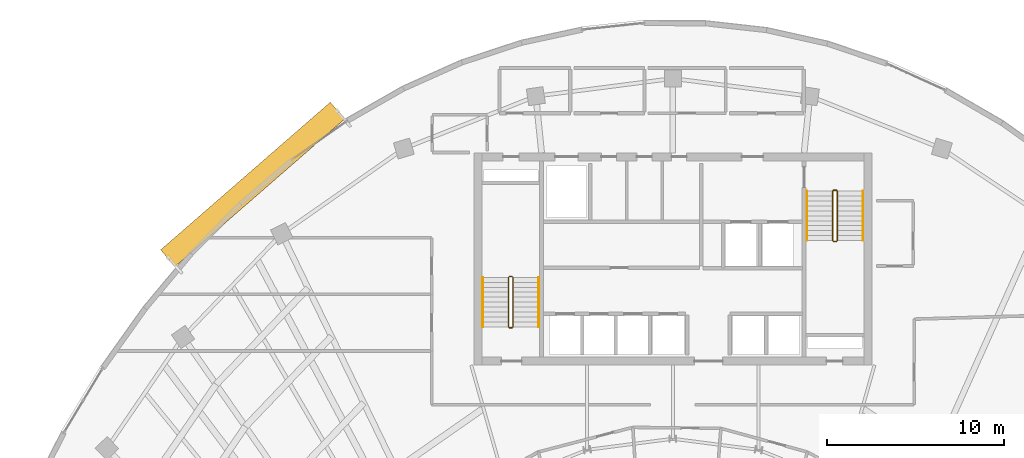
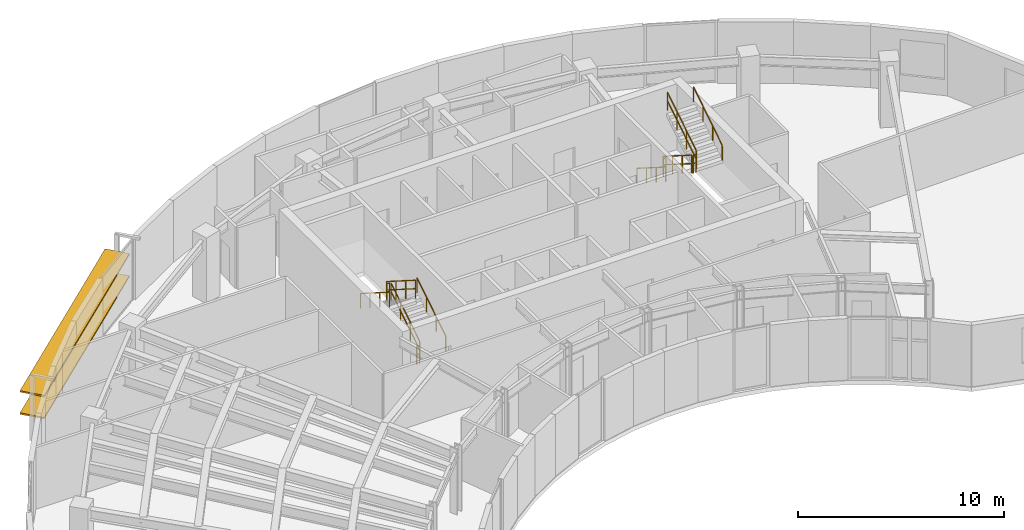
# One storey, part 12 of 12: 12 railings, 2 shading devices.
"""IFC4 building model written with IfcOpenShell, lengths in metres."""

from ifc_helpers import new_model, si_unit, direction, frame, origin, origin_2d, place, context, subcontext, project, spatial, rectangle, extrude, source, transform, mapped, material, material_profile, profile_set, type_object, element, save


model = new_model("IFC4")

# Units and contexts
model_context = context("Model", 3, precision=1e-05, world=origin(), true_north=direction((0.0, 1.0)))
body_context = subcontext(model_context, "Body", "Model", "MODEL_VIEW")
ifc_project = project(units=[si_unit("LENGTHUNIT", "METRE"), si_unit("AREAUNIT", "SQUARE_METRE"), si_unit("VOLUMEUNIT", "CUBIC_METRE"), si_unit("PLANEANGLEUNIT", "RADIAN"), si_unit("MASSUNIT", "GRAM", prefix="KILO")], contexts=[model_context])

# Site, building, storey
site_placement = place(None, origin())
site = spatial("IfcSite", under=ifc_project, at=site_placement, CompositionType="ELEMENT")
building_placement = place(site_placement, origin())
building = spatial("IfcBuilding", under=site, at=building_placement, Name="Breltana Convention Tower", CompositionType="ELEMENT")
storey_placement = place(building_placement, frame((0.0, 0.0, 239.10009765625)))
storey = spatial("IfcBuildingStorey", under=building, at=storey_placement, Name="L58", CompositionType="ELEMENT", Elevation=239.10009765625)

# Railings
ifc_material_1 = material(Name="Steel S275 Painted", Category="steel")
railing_type_1 = type_object("IfcRailingType", Name="RL-STAIR-GUARD-1100", PredefinedType="GUARDRAIL", material=ifc_material_1)
railing_1_placement = place(storey_placement, frame((38.9599609375, 62.360107421875, 0.17724609375)))
element("IfcRailing", 1, at=railing_1_placement, inside=storey, type_object=railing_type_1, Name="L58 ST-1 stair guard 1", PredefinedType="GUARDRAIL", context=body_context, shape_type="SweptSolid", body=[
    extrude(rectangle(XDim=0.048095703125, YDim=0.048095703125, at=origin_2d()), frame((0.0, 0.0, 1.076171875), z_axis=(0.0, 0.844887892834, 0.53494340686), x_axis=(-1.0, 0.0, 0.0)), (0.0, 0.0, 1.0), 3.313720703125),
    extrude(rectangle(XDim=0.048095703125, YDim=0.048095703125, at=origin_2d()), frame((0.0, 0.0, 0.572021484375), z_axis=(0.0, 0.844887892834, 0.53494340686), x_axis=(-1.0, 0.0, 0.0)), (0.0, 0.0, 1.0), 3.313720703125),
    extrude(rectangle(XDim=0.0419921875, YDim=0.0419921875, at=origin_2d()), origin(), (0.0, 0.0, 1.0), 1.052001953125),
    extrude(rectangle(XDim=0.0419921875, YDim=0.0419921875, at=origin_2d()), frame((0.0, 0.933349609375, 0.5908203125)), (0.0, 0.0, 1.0), 1.052001953125),
    extrude(rectangle(XDim=0.0419921875, YDim=0.0419921875, at=origin_2d()), frame((0.0, 1.866455078125, 1.181884765625)), (0.0, 0.0, 1.0), 1.052001953125),
    extrude(rectangle(XDim=0.0419921875, YDim=0.0419921875, at=origin_2d()), frame((0.0, 2.7998046875, 1.772705078125)), (0.0, 0.0, 1.0), 1.052001953125),
])
railing_2_placement = place(storey_placement, frame((38.909912109375, 65.2099609375, 1.949951171875)))
element("IfcRailing", 2, at=railing_2_placement, inside=storey, type_object=railing_type_1, Name="L58 ST-1 stair guard 2", PredefinedType="GUARDRAIL", context=body_context, shape_type="SweptSolid", body=[
    extrude(rectangle(XDim=0.048095703125, YDim=0.048095703125, at=origin_2d()), frame((0.0, 0.0, 1.076171875), z_axis=(-1.0, 0.0, 0.0), x_axis=(0.0, -1.0, 0.0)), (0.0, 0.0, 1.0), 0.14990234375),
    extrude(rectangle(XDim=0.048095703125, YDim=0.048095703125, at=origin_2d()), frame((0.0, 0.0, 0.572021484375), z_axis=(-1.0, 0.0, 0.0), x_axis=(0.0, -1.0, 0.0)), (0.0, 0.0, 1.0), 0.14990234375),
    extrude(rectangle(XDim=0.0419921875, YDim=0.0419921875, at=origin_2d()), origin(), (0.0, 0.0, 1.0), 1.052001953125),
    extrude(rectangle(XDim=0.0419921875, YDim=0.0419921875, at=origin_2d()), frame((-0.14990234375, 0.0, 0.0)), (0.0, 0.0, 1.0), 1.052001953125),
])
railing_3_placement = place(storey_placement, frame((38.7099609375, 65.159912109375, 2.127197265625)))
element("IfcRailing", 3, at=railing_3_placement, inside=storey, type_object=railing_type_1, Name="L58 ST-1 stair guard 3", PredefinedType="GUARDRAIL", context=body_context, shape_type="SweptSolid", body=[
    extrude(rectangle(XDim=0.048095703125, YDim=0.048095703125, at=origin_2d()), frame((0.0, 0.0, 1.076171875), z_axis=(0.0, -0.844887892834, 0.53494340686), x_axis=(1.0, 0.0, 0.0)), (0.0, 0.0, 1.0), 3.313720703125),
    extrude(rectangle(XDim=0.048095703125, YDim=0.048095703125, at=origin_2d()), frame((0.0, 0.0, 0.572021484375), z_axis=(0.0, -0.844887892834, 0.53494340686), x_axis=(1.0, 0.0, 0.0)), (0.0, 0.0, 1.0), 3.313720703125),
    extrude(rectangle(XDim=0.0419921875, YDim=0.0419921875, at=origin_2d()), origin(), (0.0, 0.0, 1.0), 1.052001953125),
    extrude(rectangle(XDim=0.0419921875, YDim=0.0419921875, at=origin_2d()), frame((0.0, -0.933349609375, 0.5908203125)), (0.0, 0.0, 1.0), 1.052001953125),
    extrude(rectangle(XDim=0.0419921875, YDim=0.0419921875, at=origin_2d()), frame((0.0, -1.866455078125, 1.181884765625)), (0.0, 0.0, 1.0), 1.052001953125),
    extrude(rectangle(XDim=0.0419921875, YDim=0.0419921875, at=origin_2d()), frame((0.0, -2.7998046875, 1.772705078125)), (0.0, 0.0, 1.0), 1.052001953125),
])
railing_4_placement = place(storey_placement, frame((38.909912109375, 62.31005859375, 0.0)))
element("IfcRailing", 4, at=railing_4_placement, inside=storey, type_object=railing_type_1, Name="L58 ST-1 stair guard 4", PredefinedType="GUARDRAIL", context=body_context, shape_type="SweptSolid", body=[
    extrude(rectangle(XDim=0.048095703125, YDim=0.048095703125, at=origin_2d()), frame((0.0, 0.0, 1.076171875), z_axis=(-1.0, 0.0, 0.0), x_axis=(0.0, -1.0, 0.0)), (0.0, 0.0, 1.0), 0.14990234375),
    extrude(rectangle(XDim=0.048095703125, YDim=0.048095703125, at=origin_2d()), frame((0.0, 0.0, 0.572021484375), z_axis=(-1.0, 0.0, 0.0), x_axis=(0.0, -1.0, 0.0)), (0.0, 0.0, 1.0), 0.14990234375),
    extrude(rectangle(XDim=0.0419921875, YDim=0.0419921875, at=origin_2d()), origin(), (0.0, 0.0, 1.0), 1.052001953125),
    extrude(rectangle(XDim=0.0419921875, YDim=0.0419921875, at=origin_2d()), frame((-0.14990234375, 0.0, 0.0)), (0.0, 0.0, 1.0), 1.052001953125),
])
railing_5_placement = place(storey_placement, frame((57.0400390625, 70.0400390625, 0.17724609375)))
element("IfcRailing", 5, at=railing_5_placement, inside=storey, type_object=railing_type_1, Name="L58 ST-2 stair guard 1", PredefinedType="GUARDRAIL", context=body_context, shape_type="SweptSolid", body=[
    extrude(rectangle(XDim=0.048095703125, YDim=0.048095703125, at=origin_2d()), frame((0.0, 0.0, 1.076171875), z_axis=(0.0, -0.844908973607, 0.534910110503), x_axis=(1.0, 0.0, 0.0)), (0.0, 0.0, 1.0), 3.31396484375),
    extrude(rectangle(XDim=0.048095703125, YDim=0.048095703125, at=origin_2d()), frame((0.0, 0.0, 0.572021484375), z_axis=(0.0, -0.844908973607, 0.534910110503), x_axis=(1.0, 0.0, 0.0)), (0.0, 0.0, 1.0), 3.31396484375),
    extrude(rectangle(XDim=0.0419921875, YDim=0.0419921875, at=origin_2d()), origin(), (0.0, 0.0, 1.0), 1.052001953125),
    extrude(rectangle(XDim=0.0419921875, YDim=0.0419921875, at=origin_2d()), frame((0.0, -0.933349609375, 0.5908203125)), (0.0, 0.0, 1.0), 1.052001953125),
    extrude(rectangle(XDim=0.0419921875, YDim=0.0419921875, at=origin_2d()), frame((0.0, -1.86669921875, 1.181884765625)), (0.0, 0.0, 1.0), 1.052001953125),
    extrude(rectangle(XDim=0.0419921875, YDim=0.0419921875, at=origin_2d()), frame((0.0, -2.800048828125, 1.772705078125)), (0.0, 0.0, 1.0), 1.052001953125),
])
railing_6_placement = place(storey_placement, frame((57.090087890625, 67.18994140625, 1.949951171875)))
element("IfcRailing", 6, at=railing_6_placement, inside=storey, type_object=railing_type_1, Name="L58 ST-2 stair guard 2", PredefinedType="GUARDRAIL", context=body_context, shape_type="SweptSolid", body=[
    extrude(rectangle(XDim=0.048095703125, YDim=0.048095703125, at=origin_2d()), frame((0.0, 0.0, 1.076171875), z_axis=(1.0, 0.0, 0.0), x_axis=(0.0, 1.0, 0.0)), (0.0, 0.0, 1.0), 0.14990234375),
    extrude(rectangle(XDim=0.048095703125, YDim=0.048095703125, at=origin_2d()), frame((0.0, 0.0, 0.572021484375), z_axis=(1.0, 0.0, 0.0), x_axis=(0.0, 1.0, 0.0)), (0.0, 0.0, 1.0), 0.14990234375),
    extrude(rectangle(XDim=0.0419921875, YDim=0.0419921875, at=origin_2d()), origin(), (0.0, 0.0, 1.0), 1.052001953125),
    extrude(rectangle(XDim=0.0419921875, YDim=0.0419921875, at=origin_2d()), frame((0.14990234375, 0.0, 0.0)), (0.0, 0.0, 1.0), 1.052001953125),
])
railing_7_placement = place(storey_placement, frame((57.2900390625, 67.239990234375, 2.127197265625)))
element("IfcRailing", 7, at=railing_7_placement, inside=storey, type_object=railing_type_1, Name="L58 ST-2 stair guard 3", PredefinedType="GUARDRAIL", context=body_context, shape_type="SweptSolid", body=[
    extrude(rectangle(XDim=0.048095703125, YDim=0.048095703125, at=origin_2d()), frame((0.0, 0.0, 1.076171875), z_axis=(0.0, 0.844908973607, 0.534910110503), x_axis=(-1.0, 0.0, 0.0)), (0.0, 0.0, 1.0), 3.31396484375),
    extrude(rectangle(XDim=0.048095703125, YDim=0.048095703125, at=origin_2d()), frame((0.0, 0.0, 0.572021484375), z_axis=(0.0, 0.844908973607, 0.534910110503), x_axis=(-1.0, 0.0, 0.0)), (0.0, 0.0, 1.0), 3.31396484375),
    extrude(rectangle(XDim=0.0419921875, YDim=0.0419921875, at=origin_2d()), origin(), (0.0, 0.0, 1.0), 1.052001953125),
    extrude(rectangle(XDim=0.0419921875, YDim=0.0419921875, at=origin_2d()), frame((0.0, 0.933349609375, 0.5908203125)), (0.0, 0.0, 1.0), 1.052001953125),
    extrude(rectangle(XDim=0.0419921875, YDim=0.0419921875, at=origin_2d()), frame((0.0, 1.86669921875, 1.181884765625)), (0.0, 0.0, 1.0), 1.052001953125),
    extrude(rectangle(XDim=0.0419921875, YDim=0.0419921875, at=origin_2d()), frame((0.0, 2.800048828125, 1.772705078125)), (0.0, 0.0, 1.0), 1.052001953125),
])
railing_8_placement = place(storey_placement, frame((57.090087890625, 70.090087890625, 0.0)))
element("IfcRailing", 8, at=railing_8_placement, inside=storey, type_object=railing_type_1, Name="L58 ST-2 stair guard 4", PredefinedType="GUARDRAIL", context=body_context, shape_type="SweptSolid", body=[
    extrude(rectangle(XDim=0.048095703125, YDim=0.048095703125, at=origin_2d()), frame((0.0, 0.0, 1.076171875), z_axis=(1.0, 0.0, 0.0), x_axis=(0.0, 1.0, 0.0)), (0.0, 0.0, 1.0), 0.14990234375),
    extrude(rectangle(XDim=0.048095703125, YDim=0.048095703125, at=origin_2d()), frame((0.0, 0.0, 0.572021484375), z_axis=(1.0, 0.0, 0.0), x_axis=(0.0, 1.0, 0.0)), (0.0, 0.0, 1.0), 0.14990234375),
    extrude(rectangle(XDim=0.0419921875, YDim=0.0419921875, at=origin_2d()), origin(), (0.0, 0.0, 1.0), 1.052001953125),
    extrude(rectangle(XDim=0.0419921875, YDim=0.0419921875, at=origin_2d()), frame((0.14990234375, 0.0, 0.0)), (0.0, 0.0, 1.0), 1.052001953125),
])
ifc_material_2 = material(Name="Stainless Steel 316L", Category="steel")
railing_type_2 = type_object("IfcRailingType", Name="RL-STAIR-HANDRAIL-900", PredefinedType="HANDRAIL", material=ifc_material_2)
railing_9_placement = place(storey_placement, frame((40.419921875, 62.360107421875, 0.17724609375)))
element("IfcRailing", 9, at=railing_9_placement, inside=storey, type_object=railing_type_2, Name="L58 ST-1 stair handrail 1", PredefinedType="HANDRAIL", context=body_context, shape_type="SweptSolid", body=[
    extrude(rectangle(XDim=0.048095703125, YDim=0.048095703125, at=origin_2d()), frame((0.0, 0.0, 0.8759765625), z_axis=(0.0, 0.844887892834, 0.53494340686), x_axis=(-1.0, 0.0, 0.0)), (0.0, 0.0, 1.0), 3.313720703125),
    extrude(rectangle(XDim=0.0419921875, YDim=0.0419921875, at=origin_2d()), origin(), (0.0, 0.0, 1.0), 0.851806640625),
    extrude(rectangle(XDim=0.0419921875, YDim=0.0419921875, at=origin_2d()), frame((0.0, 0.933349609375, 0.5908203125)), (0.0, 0.0, 1.0), 0.851806640625),
    extrude(rectangle(XDim=0.0419921875, YDim=0.0419921875, at=origin_2d()), frame((0.0, 1.866455078125, 1.181884765625)), (0.0, 0.0, 1.0), 0.851806640625),
    extrude(rectangle(XDim=0.0419921875, YDim=0.0419921875, at=origin_2d()), frame((0.0, 2.7998046875, 1.772705078125)), (0.0, 0.0, 1.0), 0.851806640625),
])
railing_10_placement = place(storey_placement, frame((37.25, 65.159912109375, 2.127197265625)))
element("IfcRailing", 10, at=railing_10_placement, inside=storey, type_object=railing_type_2, Name="L58 ST-1 stair handrail 2", PredefinedType="HANDRAIL", context=body_context, shape_type="SweptSolid", body=[
    extrude(rectangle(XDim=0.048095703125, YDim=0.048095703125, at=origin_2d()), frame((0.0, 0.0, 0.8759765625), z_axis=(0.0, -0.844887892834, 0.53494340686), x_axis=(1.0, 0.0, 0.0)), (0.0, 0.0, 1.0), 3.313720703125),
    extrude(rectangle(XDim=0.0419921875, YDim=0.0419921875, at=origin_2d()), origin(), (0.0, 0.0, 1.0), 0.851806640625),
    extrude(rectangle(XDim=0.0419921875, YDim=0.0419921875, at=origin_2d()), frame((0.0, -0.933349609375, 0.5908203125)), (0.0, 0.0, 1.0), 0.851806640625),
    extrude(rectangle(XDim=0.0419921875, YDim=0.0419921875, at=origin_2d()), frame((0.0, -1.866455078125, 1.181884765625)), (0.0, 0.0, 1.0), 0.851806640625),
    extrude(rectangle(XDim=0.0419921875, YDim=0.0419921875, at=origin_2d()), frame((0.0, -2.7998046875, 1.772705078125)), (0.0, 0.0, 1.0), 0.851806640625),
])
railing_11_placement = place(storey_placement, frame((55.580078125, 70.0400390625, 0.17724609375)))
element("IfcRailing", 11, at=railing_11_placement, inside=storey, type_object=railing_type_2, Name="L58 ST-2 stair handrail 1", PredefinedType="HANDRAIL", context=body_context, shape_type="SweptSolid", body=[
    extrude(rectangle(XDim=0.048095703125, YDim=0.048095703125, at=origin_2d()), frame((0.0, 0.0, 0.8759765625), z_axis=(0.0, -0.844908973607, 0.534910110503), x_axis=(1.0, 0.0, 0.0)), (0.0, 0.0, 1.0), 3.31396484375),
    extrude(rectangle(XDim=0.0419921875, YDim=0.0419921875, at=origin_2d()), origin(), (0.0, 0.0, 1.0), 0.851806640625),
    extrude(rectangle(XDim=0.0419921875, YDim=0.0419921875, at=origin_2d()), frame((0.0, -0.933349609375, 0.5908203125)), (0.0, 0.0, 1.0), 0.851806640625),
    extrude(rectangle(XDim=0.0419921875, YDim=0.0419921875, at=origin_2d()), frame((0.0, -1.86669921875, 1.181884765625)), (0.0, 0.0, 1.0), 0.851806640625),
    extrude(rectangle(XDim=0.0419921875, YDim=0.0419921875, at=origin_2d()), frame((0.0, -2.800048828125, 1.772705078125)), (0.0, 0.0, 1.0), 0.851806640625),
])
railing_12_placement = place(storey_placement, frame((58.75, 67.239990234375, 2.127197265625)))
element("IfcRailing", 12, at=railing_12_placement, inside=storey, type_object=railing_type_2, Name="L58 ST-2 stair handrail 2", PredefinedType="HANDRAIL", context=body_context, shape_type="SweptSolid", body=[
    extrude(rectangle(XDim=0.048095703125, YDim=0.048095703125, at=origin_2d()), frame((0.0, 0.0, 0.8759765625), z_axis=(0.0, 0.844908973607, 0.534910110503), x_axis=(-1.0, 0.0, 0.0)), (0.0, 0.0, 1.0), 3.31396484375),
    extrude(rectangle(XDim=0.0419921875, YDim=0.0419921875, at=origin_2d()), origin(), (0.0, 0.0, 1.0), 0.851806640625),
    extrude(rectangle(XDim=0.0419921875, YDim=0.0419921875, at=origin_2d()), frame((0.0, 0.933349609375, 0.5908203125)), (0.0, 0.0, 1.0), 0.851806640625),
    extrude(rectangle(XDim=0.0419921875, YDim=0.0419921875, at=origin_2d()), frame((0.0, 1.86669921875, 1.181884765625)), (0.0, 0.0, 1.0), 0.851806640625),
    extrude(rectangle(XDim=0.0419921875, YDim=0.0419921875, at=origin_2d()), frame((0.0, 2.800048828125, 1.772705078125)), (0.0, 0.0, 1.0), 0.851806640625),
])

# Shading devices
ifc_material_3 = material(Name="Limestone Warm Buff Honed", Category="masonry")
ifc_material_profile = material_profile(ifc_material_3, rectangle(XDim=1.25, YDim=0.090087890625, at=origin_2d()), Name="STN-LVR-1250X90")
ifc_profile_set = profile_set([ifc_material_profile], Name="Limestone Warm Buff Honed")
shading_device_type = type_object("IfcShadingDeviceType", Name="SHD-OUTER-SKIN-LIMESTONE-1250", PredefinedType="JALOUSIE", material=ifc_profile_set)
shared_shape = source(origin(), body_context, "Body", "SweptSolid", [
    extrude(rectangle(XDim=1.25, YDim=0.090087890625, at=origin_2d()), origin(), (0.0, 0.0, 1.0), 12.716064453125),
])
for number, where, z_axis, x_axis, name in (
    (13, (19.4482421875, 66.243408203125, 1.31396484375), (0.754376904049, 0.656441533298, 0.0), (-0.656441533298, 0.754376904049, 0.0), "L58 outer skin warm limestone louvre 1.1"),
    (14, (19.4482421875, 66.243408203125, 2.6279296875), (0.754376904049, 0.656441533298, 0.0), (-0.656441533298, 0.754376904049, 0.0), "L58 outer skin warm limestone louvre 1.2"),
):
    element("IfcShadingDevice", number, at=place(storey_placement, frame(where, z_axis=z_axis, x_axis=x_axis)), inside=storey, type_object=shading_device_type, Name=name, PredefinedType="JALOUSIE", context=body_context, shape_type="MappedRepresentation", body=[
        mapped(shared_shape, transform((0.0, 0.0, 0.0), scale=1.0)),
    ])

save(model, "model.ifc")
